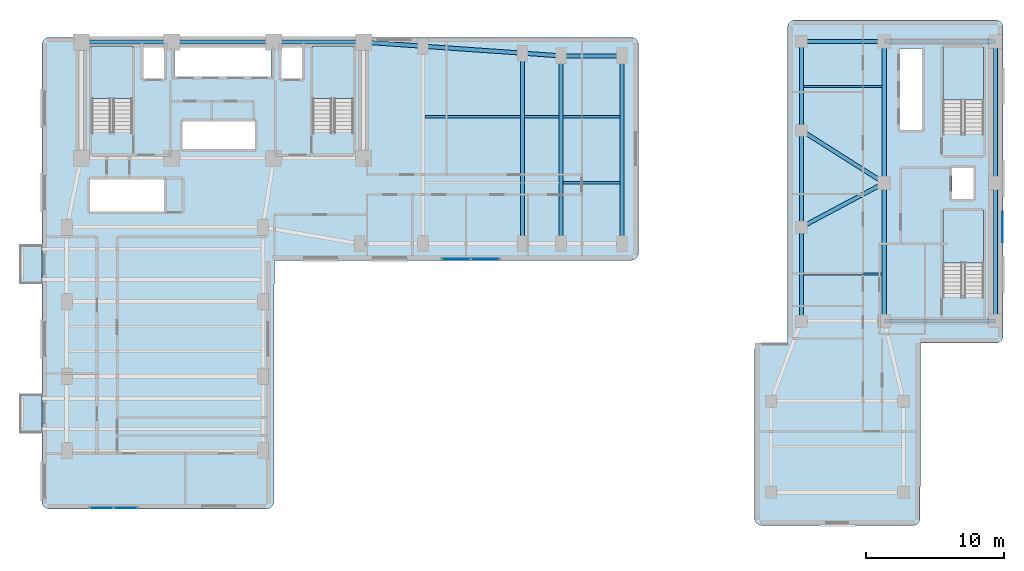
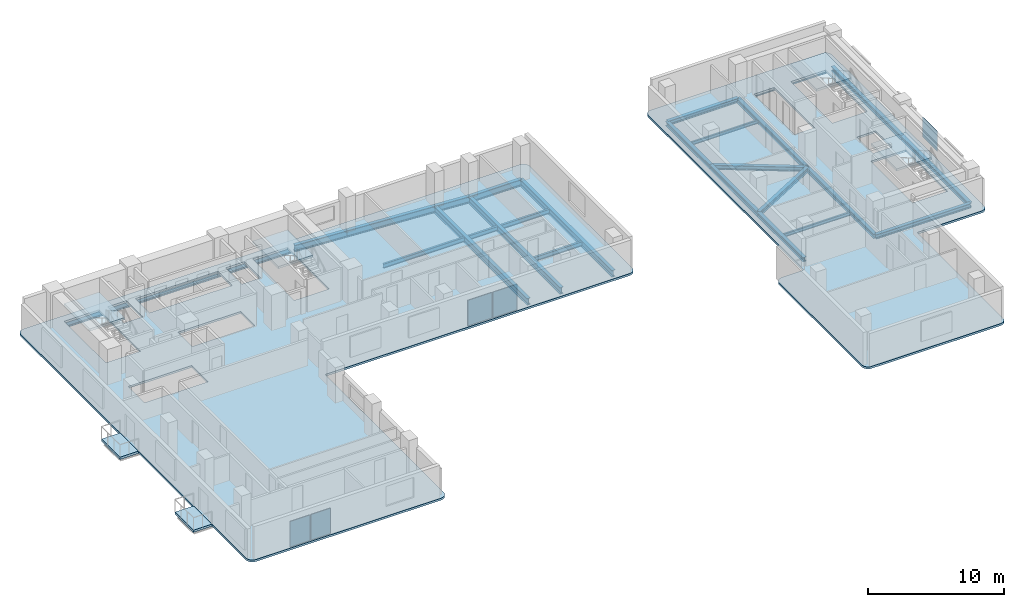
# One storey, part 7 of 15: 28 beams, 8 slabs, 5 plates, 6 elements without a shape of their own.
"""IFC4 building model written with IfcOpenShell, lengths in metres."""

from ifc_helpers import new_model, si_unit, direction, frame, origin, origin_2d, place, context, subcontext, project, spatial, polyline, rectangle, i_section, outline, extrude, material, layer, layer_set, material_profile, profile_set, type_object, element, aggregate, save


model = new_model("IFC4")

# Units and contexts
model_context = context("Model", 3, precision=1e-05, world=origin(), true_north=direction((0.0, 1.0)))
body_context = subcontext(model_context, "Body", "Model", "MODEL_VIEW")
ifc_project = project(units=[si_unit("LENGTHUNIT", "METRE"), si_unit("AREAUNIT", "SQUARE_METRE"), si_unit("VOLUMEUNIT", "CUBIC_METRE"), si_unit("PLANEANGLEUNIT", "RADIAN"), si_unit("MASSUNIT", "GRAM", prefix="KILO")], contexts=[model_context])

# Site, building, storey
site_placement = place(None, origin())
site = spatial("IfcSite", under=ifc_project, at=site_placement, CompositionType="ELEMENT")
building_placement = place(site_placement, origin())
building = spatial("IfcBuilding", under=site, at=building_placement, Name="Kuzgunbayir Cultural Tower", CompositionType="ELEMENT")
storey_placement = place(building_placement, frame((0.0, 0.0, 72.39990234375)))
storey = spatial("IfcBuildingStorey", under=building, at=storey_placement, Name="L20", CompositionType="ELEMENT", Elevation=72.39990234375)

# Beams
ifc_material_1 = material(Name="Steel S355J2", Category="steel")
ifc_material_profile_1 = material_profile(ifc_material_1, i_section(OverallWidth=0.300048828125, OverallDepth=0.39990234375, WebThickness=0.013427734375, FlangeThickness=0.02392578125, FilletRadius=0.027099609375, at=origin_2d()), Name="HEB 400")
ifc_profile_set_1 = profile_set([ifc_material_profile_1], Name="Steel S355J2")
beam_type_1 = type_object("IfcBeamType", Name="BM-EXT-HEB400", PredefinedType="BEAM", material=ifc_profile_set_1)
beam_1_placement = place(storey_placement, frame((58.60009765625, 22.0, -0.3798828125), z_axis=(0.0, 1.0, 0.0), x_axis=(-1.0, 0.0, 0.0)))
element("IfcBeam", 1, at=beam_1_placement, inside=storey, type_object=beam_type_1, Name="L20 Companion West Girder", PredefinedType="BEAM", context=body_context, shape_type="SweptSolid", body=[
    extrude(i_section(OverallWidth=0.300048828125, OverallDepth=0.39990234375, WebThickness=0.013427734375, FlangeThickness=0.02392578125, FilletRadius=0.027099609375, at=origin_2d()), origin(), (0.0, 0.0, 1.0), 6.800048828125),
])
beam_2_placement = place(storey_placement, frame((58.60009765625, 28.800048828125, -0.3798828125), z_axis=(0.0, 1.0, 0.0), x_axis=(-1.0, 0.0, 0.0)))
element("IfcBeam", 2, at=beam_2_placement, inside=storey, type_object=beam_type_1, Name="L20 Companion West Girder", PredefinedType="BEAM", context=body_context, shape_type="SweptSolid", body=[
    extrude(i_section(OverallWidth=0.300048828125, OverallDepth=0.39990234375, WebThickness=0.013427734375, FlangeThickness=0.02392578125, FilletRadius=0.027099609375, at=origin_2d()), origin(), (0.0, 0.0, 1.0), 7.0),
])
beam_3_placement = place(storey_placement, frame((58.60009765625, 35.800048828125, -0.3798828125), z_axis=(0.0, 1.0, 0.0), x_axis=(-1.0, 0.0, 0.0)))
element("IfcBeam", 3, at=beam_3_placement, inside=storey, type_object=beam_type_1, Name="L20 Companion West Girder", PredefinedType="BEAM", context=body_context, shape_type="SweptSolid", body=[
    extrude(i_section(OverallWidth=0.300048828125, OverallDepth=0.39990234375, WebThickness=0.013427734375, FlangeThickness=0.02392578125, FilletRadius=0.027099609375, at=origin_2d()), origin(), (0.0, 0.0, 1.0), 6.449951171875),
])
ifc_material_profile_2 = material_profile(ifc_material_1, i_section(OverallWidth=0.300048828125, OverallDepth=0.60009765625, WebThickness=0.015380859375, FlangeThickness=0.030029296875, FilletRadius=0.027099609375, at=origin_2d()), Name="HEB 600")
ifc_profile_set_2 = profile_set([ifc_material_profile_2], Name="Steel S355J2")
beam_type_2 = type_object("IfcBeamType", Name="BM-EXT-HEB600", PredefinedType="BEAM", material=ifc_profile_set_2)
beam_4_placement = place(storey_placement, frame((26.89990234375, 42.199951171875, -0.47998046875), z_axis=(0.997574369175, -0.069608749203, 0.0), x_axis=(0.069608749203, 0.997574369175, 0.0)))
element("IfcBeam", 4, at=beam_4_placement, inside=storey, type_object=beam_type_2, Name="L20 Wing B North Girder 1", PredefinedType="BEAM", context=body_context, shape_type="SweptSolid", body=[
    extrude(i_section(OverallWidth=0.300048828125, OverallDepth=0.60009765625, WebThickness=0.015380859375, FlangeThickness=0.030029296875, FilletRadius=0.027099609375, at=origin_2d()), origin(), (0.0, 0.0, 1.0), 4.310546875),
])
beam_5_placement = place(storey_placement, frame((31.199951171875, 41.89990234375, -0.47998046875), z_axis=(0.997597388498, -0.069278066245, 0.0), x_axis=(0.069278066245, 0.997597388498, 0.0)))
element("IfcBeam", 5, at=beam_5_placement, inside=storey, type_object=beam_type_2, Name="L20 Wing B North Girder 2", PredefinedType="BEAM", context=body_context, shape_type="SweptSolid", body=[
    extrude(i_section(OverallWidth=0.300048828125, OverallDepth=0.60009765625, WebThickness=0.015380859375, FlangeThickness=0.030029296875, FilletRadius=0.027099609375, at=origin_2d()), origin(), (0.0, 0.0, 1.0), 7.21728515625),
])
beam_6_placement = place(storey_placement, frame((38.39990234375, 41.39990234375, -0.47998046875), z_axis=(0.997460024076, -0.071228508128, 0.0), x_axis=(0.071228508128, 0.997460024076, 0.0)))
element("IfcBeam", 6, at=beam_6_placement, inside=storey, type_object=beam_type_2, Name="L20 Wing B North Girder 3", PredefinedType="BEAM", context=body_context, shape_type="SweptSolid", body=[
    extrude(i_section(OverallWidth=0.300048828125, OverallDepth=0.60009765625, WebThickness=0.015380859375, FlangeThickness=0.030029296875, FilletRadius=0.027099609375, at=origin_2d()), origin(), (0.0, 0.0, 1.0), 2.80712890625),
])
beam_7_placement = place(storey_placement, frame((41.199951171875, 41.199951171875, -0.47998046875), z_axis=(1.0, 0.0, 0.0), x_axis=(0.0, 1.0, 0.0)))
element("IfcBeam", 7, at=beam_7_placement, inside=storey, type_object=beam_type_2, Name="L20 Wing B North Girder 4", PredefinedType="BEAM", context=body_context, shape_type="SweptSolid", body=[
    extrude(i_section(OverallWidth=0.300048828125, OverallDepth=0.60009765625, WebThickness=0.015380859375, FlangeThickness=0.030029296875, FilletRadius=0.027099609375, at=origin_2d()), origin(), (0.0, 0.0, 1.0), 4.400146484375),
])
ifc_material_profile_3 = material_profile(ifc_material_1, i_section(OverallWidth=0.300048828125, OverallDepth=0.39990234375, WebThickness=0.013427734375, FlangeThickness=0.02392578125, FilletRadius=0.027099609375, at=origin_2d()), Name="HEB 400")
ifc_profile_set_3 = profile_set([ifc_material_profile_3], Name="Steel S355J2")
beam_type_3 = type_object("IfcBeamType", Name="BM-GIR-HEB400", PredefinedType="BEAM", material=ifc_profile_set_3)
beam_8_placement = place(storey_placement, frame((58.60009765625, 28.800048828125, -0.3798828125), z_axis=(0.882355922736, 0.470582644828, 0.0), x_axis=(-0.470582644828, 0.882355922736, 0.0)))
element("IfcBeam", 8, at=beam_8_placement, inside=storey, type_object=beam_type_3, Name="L20 Companion Transverse Girder 2", PredefinedType="BEAM", context=body_context, shape_type="SweptSolid", body=[
    extrude(i_section(OverallWidth=0.300048828125, OverallDepth=0.39990234375, WebThickness=0.013427734375, FlangeThickness=0.02392578125, FilletRadius=0.027099609375, at=origin_2d()), origin(), (0.0, 0.0, 1.0), 6.800048828125),
])
beam_9_placement = place(storey_placement, frame((58.60009765625, 35.800048828125, -0.3798828125), z_axis=(0.844815967829, -0.535056988088, 0.0), x_axis=(0.535056988088, 0.844815967829, 0.0)))
element("IfcBeam", 9, at=beam_9_placement, inside=storey, type_object=beam_type_3, Name="L20 Companion Transverse Girder 3", PredefinedType="BEAM", context=body_context, shape_type="SweptSolid", body=[
    extrude(i_section(OverallWidth=0.300048828125, OverallDepth=0.39990234375, WebThickness=0.013427734375, FlangeThickness=0.02392578125, FilletRadius=0.027099609375, at=origin_2d()), origin(), (0.0, 0.0, 1.0), 7.10205078125),
])
beam_10_placement = place(storey_placement, frame((58.60009765625, 42.25, -0.3798828125), z_axis=(1.0, 0.0, 0.0), x_axis=(0.0, 1.0, 0.0)))
element("IfcBeam", 10, at=beam_10_placement, inside=storey, type_object=beam_type_3, Name="L20 Companion Transverse Girder 4", PredefinedType="BEAM", context=body_context, shape_type="SweptSolid", body=[
    extrude(i_section(OverallWidth=0.300048828125, OverallDepth=0.39990234375, WebThickness=0.013427734375, FlangeThickness=0.02392578125, FilletRadius=0.027099609375, at=origin_2d()), origin(), (0.0, 0.0, 1.0), 6.0),
])
beam_11_placement = place(storey_placement, frame((64.60009765625, 22.0, -0.3798828125), z_axis=(0.0, 1.0, 0.0), x_axis=(-1.0, 0.0, 0.0)))
element("IfcBeam", 11, at=beam_11_placement, inside=storey, type_object=beam_type_3, Name="L20 Companion Core West Girder 1", PredefinedType="BEAM", context=body_context, shape_type="SweptSolid", body=[
    extrude(i_section(OverallWidth=0.300048828125, OverallDepth=0.39990234375, WebThickness=0.013427734375, FlangeThickness=0.02392578125, FilletRadius=0.027099609375, at=origin_2d()), origin(), (0.0, 0.0, 1.0), 10.0),
])
beam_12_placement = place(storey_placement, frame((64.60009765625, 32.0, -0.3798828125), z_axis=(0.0, 1.0, 0.0), x_axis=(-1.0, 0.0, 0.0)))
element("IfcBeam", 12, at=beam_12_placement, inside=storey, type_object=beam_type_3, Name="L20 Companion Core West Girder 2", PredefinedType="BEAM", context=body_context, shape_type="SweptSolid", body=[
    extrude(i_section(OverallWidth=0.300048828125, OverallDepth=0.39990234375, WebThickness=0.013427734375, FlangeThickness=0.02392578125, FilletRadius=0.027099609375, at=origin_2d()), origin(), (0.0, 0.0, 1.0), 10.25),
])
beam_13_placement = place(storey_placement, frame((72.64990234375, 22.0, -0.3798828125), z_axis=(0.0, 1.0, 0.0), x_axis=(-1.0, 0.0, 0.0)))
element("IfcBeam", 13, at=beam_13_placement, inside=storey, type_object=beam_type_3, Name="L20 Companion Core East Girder 1", PredefinedType="BEAM", context=body_context, shape_type="SweptSolid", body=[
    extrude(i_section(OverallWidth=0.300048828125, OverallDepth=0.39990234375, WebThickness=0.013427734375, FlangeThickness=0.02392578125, FilletRadius=0.027099609375, at=origin_2d()), origin(), (0.0, 0.0, 1.0), 10.0),
])
beam_14_placement = place(storey_placement, frame((72.64990234375, 32.0, -0.3798828125), z_axis=(0.0, 1.0, 0.0), x_axis=(-1.0, 0.0, 0.0)))
element("IfcBeam", 14, at=beam_14_placement, inside=storey, type_object=beam_type_3, Name="L20 Companion Core East Girder 2", PredefinedType="BEAM", context=body_context, shape_type="SweptSolid", body=[
    extrude(i_section(OverallWidth=0.300048828125, OverallDepth=0.39990234375, WebThickness=0.013427734375, FlangeThickness=0.02392578125, FilletRadius=0.027099609375, at=origin_2d()), origin(), (0.0, 0.0, 1.0), 10.25),
])
for number, where, z_axis, x_axis, name in (
    (15, (64.60009765625, 22.0, -0.3798828125), (1.0, 0.0, 0.0), (0.0, 1.0, 0.0), "L20 Companion Core South Girder"),
    (16, (64.60009765625, 42.25, -0.3798828125), (1.0, 0.0, 0.0), (0.0, 1.0, 0.0), "L20 Companion Core North Girder"),
):
    element("IfcBeam", number, at=place(storey_placement, frame(where, z_axis=z_axis, x_axis=x_axis)), inside=storey, type_object=beam_type_3, Name=name, PredefinedType="BEAM", context=body_context, shape_type="SweptSolid", body=[
        extrude(i_section(OverallWidth=0.300048828125, OverallDepth=0.39990234375, WebThickness=0.013427734375, FlangeThickness=0.02392578125, FilletRadius=0.027099609375, at=origin_2d()), origin(), (0.0, 0.0, 1.0), 8.0498046875),
    ])
ifc_material_profile_4 = material_profile(ifc_material_1, i_section(OverallWidth=0.300048828125, OverallDepth=0.60009765625, WebThickness=0.015380859375, FlangeThickness=0.030029296875, FilletRadius=0.027099609375, at=origin_2d()), Name="HEB 600")
ifc_profile_set_4 = profile_set([ifc_material_profile_4], Name="Steel S355J2")
beam_type_4 = type_object("IfcBeamType", Name="BM-GIR-HEB600", PredefinedType="BEAM", material=ifc_profile_set_4)
beam_15_placement = place(storey_placement, frame((6.449951171875, 42.199951171875, -0.47998046875), z_axis=(1.0, 0.0, 0.0), x_axis=(0.0, 1.0, 0.0)))
element("IfcBeam", 17, at=beam_15_placement, inside=storey, type_object=beam_type_4, Name="L20 Core North Girder 1", PredefinedType="BEAM", context=body_context, shape_type="SweptSolid", body=[
    extrude(i_section(OverallWidth=0.300048828125, OverallDepth=0.60009765625, WebThickness=0.015380859375, FlangeThickness=0.030029296875, FilletRadius=0.027099609375, at=origin_2d()), origin(), (0.0, 0.0, 1.0), 6.550048828125),
])
beam_16_placement = place(storey_placement, frame((13.0, 42.199951171875, -0.47998046875), z_axis=(1.0, 0.0, 0.0), x_axis=(0.0, 1.0, 0.0)))
element("IfcBeam", 18, at=beam_16_placement, inside=storey, type_object=beam_type_4, Name="L20 Core North Girder 2", PredefinedType="BEAM", context=body_context, shape_type="SweptSolid", body=[
    extrude(i_section(OverallWidth=0.300048828125, OverallDepth=0.60009765625, WebThickness=0.015380859375, FlangeThickness=0.030029296875, FilletRadius=0.027099609375, at=origin_2d()), origin(), (0.0, 0.0, 1.0), 7.39990234375),
])
beam_17_placement = place(storey_placement, frame((20.39990234375, 42.199951171875, -0.47998046875), z_axis=(1.0, 0.0, 0.0), x_axis=(0.0, 1.0, 0.0)))
element("IfcBeam", 19, at=beam_17_placement, inside=storey, type_object=beam_type_4, Name="L20 Core North Girder 3", PredefinedType="BEAM", context=body_context, shape_type="SweptSolid", body=[
    extrude(i_section(OverallWidth=0.300048828125, OverallDepth=0.60009765625, WebThickness=0.015380859375, FlangeThickness=0.030029296875, FilletRadius=0.027099609375, at=origin_2d()), origin(), (0.0, 0.0, 1.0), 6.5),
])
beam_18_placement = place(storey_placement, frame((38.39990234375, 27.60009765625, -0.47998046875), z_axis=(0.0, 1.0, 0.0), x_axis=(-1.0, 0.0, 0.0)))
element("IfcBeam", 20, at=beam_18_placement, inside=storey, type_object=beam_type_4, Name="L20 Wing B Cross Girder 38", PredefinedType="BEAM", context=body_context, shape_type="SweptSolid", body=[
    extrude(i_section(OverallWidth=0.300048828125, OverallDepth=0.60009765625, WebThickness=0.015380859375, FlangeThickness=0.030029296875, FilletRadius=0.027099609375, at=origin_2d()), origin(), (0.0, 0.0, 1.0), 13.7998046875),
])
for number, where, z_axis, x_axis, name in (
    (21, (41.199951171875, 27.60009765625, -0.47998046875), (0.0, 1.0, 0.0), (-1.0, 0.0, 0.0), "L20 Wing B Cross Girder 41"),
    (22, (45.60009765625, 27.60009765625, -0.47998046875), (0.0, 1.0, 0.0), (-1.0, 0.0, 0.0), "L20 Wing B Cross Girder 45"),
):
    element("IfcBeam", number, at=place(storey_placement, frame(where, z_axis=z_axis, x_axis=x_axis)), inside=storey, type_object=beam_type_4, Name=name, PredefinedType="BEAM", context=body_context, shape_type="SweptSolid", body=[
        extrude(i_section(OverallWidth=0.300048828125, OverallDepth=0.60009765625, WebThickness=0.015380859375, FlangeThickness=0.030029296875, FilletRadius=0.027099609375, at=origin_2d()), origin(), (0.0, 0.0, 1.0), 13.599853515625),
    ])
ifc_material_profile_5 = material_profile(ifc_material_1, i_section(OverallWidth=0.14990234375, OverallDepth=0.300048828125, WebThickness=0.007080078125, FlangeThickness=0.0107421875, FilletRadius=0.014892578125, at=origin_2d()), Name="IPE 300")
ifc_profile_set_5 = profile_set([ifc_material_profile_5], Name="Steel S355J2")
beam_type_5 = type_object("IfcBeamType", Name="BM-JST-IPE300", PredefinedType="JOIST", material=ifc_profile_set_5)
for number, where, z_axis, x_axis, name in (
    (23, (58.75, 25.39990234375, -0.329833984375), (1.0, 0.0, 0.0), (0.0, 1.0, 0.0), "L20 Companion Joist"),
    (24, (58.75, 39.0, -0.329833984375), (1.0, 0.0, 0.0), (0.0, 1.0, 0.0), "L20 Companion Joist"),
):
    element("IfcBeam", number, at=place(storey_placement, frame(where, z_axis=z_axis, x_axis=x_axis)), inside=storey, type_object=beam_type_5, Name=name, PredefinedType="JOIST", context=body_context, shape_type="SweptSolid", body=[
        extrude(i_section(OverallWidth=0.14990234375, OverallDepth=0.300048828125, WebThickness=0.007080078125, FlangeThickness=0.0107421875, FilletRadius=0.014892578125, at=origin_2d()), origin(), (0.0, 0.0, 1.0), 5.699951171875),
    ])
ifc_material_profile_6 = material_profile(ifc_material_1, i_section(OverallWidth=0.179931640625, OverallDepth=0.39990234375, WebThickness=0.008544921875, FlangeThickness=0.013427734375, FilletRadius=0.02099609375, at=origin_2d()), Name="IPE 400")
ifc_profile_set_6 = profile_set([ifc_material_profile_6], Name="Steel S355J2")
beam_type_6 = type_object("IfcBeamType", Name="BM-JST-IPE400", PredefinedType="JOIST", material=ifc_profile_set_6)
beam_19_placement = place(storey_placement, frame((31.35009765625, 36.800048828125, -0.3798828125), z_axis=(1.0, 0.0, 0.0), x_axis=(0.0, 1.0, 0.0)))
element("IfcBeam", 25, at=beam_19_placement, inside=storey, type_object=beam_type_6, Name="L20 Wing B Secondary Joist 1.2", PredefinedType="JOIST", context=body_context, shape_type="SweptSolid", body=[
    extrude(i_section(OverallWidth=0.179931640625, OverallDepth=0.39990234375, WebThickness=0.008544921875, FlangeThickness=0.013427734375, FilletRadius=0.02099609375, at=origin_2d()), origin(), (0.0, 0.0, 1.0), 6.89990234375),
])
beam_20_placement = place(storey_placement, frame((38.550048828125, 36.800048828125, -0.3798828125), z_axis=(1.0, 0.0, 0.0), x_axis=(0.0, 1.0, 0.0)))
element("IfcBeam", 26, at=beam_20_placement, inside=storey, type_object=beam_type_6, Name="L20 Wing B Secondary Joist 2.2", PredefinedType="JOIST", context=body_context, shape_type="SweptSolid", body=[
    extrude(i_section(OverallWidth=0.179931640625, OverallDepth=0.39990234375, WebThickness=0.008544921875, FlangeThickness=0.013427734375, FilletRadius=0.02099609375, at=origin_2d()), origin(), (0.0, 0.0, 1.0), 2.5),
])
for number, where, z_axis, x_axis, name in (
    (27, (41.35009765625, 32.0, -0.3798828125), (1.0, 0.0, 0.0), (0.0, 1.0, 0.0), "L20 Wing B Secondary Joist 3.1"),
    (28, (41.35009765625, 36.800048828125, -0.3798828125), (1.0, 0.0, 0.0), (0.0, 1.0, 0.0), "L20 Wing B Secondary Joist 3.2"),
):
    element("IfcBeam", number, at=place(storey_placement, frame(where, z_axis=z_axis, x_axis=x_axis)), inside=storey, type_object=beam_type_6, Name=name, PredefinedType="JOIST", context=body_context, shape_type="SweptSolid", body=[
        extrude(i_section(OverallWidth=0.179931640625, OverallDepth=0.39990234375, WebThickness=0.008544921875, FlangeThickness=0.013427734375, FilletRadius=0.02099609375, at=origin_2d()), origin(), (0.0, 0.0, 1.0), 4.099853515625),
    ])

# Curtain wall, plates
ifc_material_2 = material(Name="Anodised Aluminium Framing", Category="aluminium")
curtain_wall_type = type_object("IfcCurtainWallType", Name="CW03-T1-OFFICE", PredefinedType="NOTDEFINED", material=ifc_material_2)
curtain_wall_1_placement = place(storey_placement, origin())
curtain_wall_1 = element("IfcCurtainWall", 29, at=curtain_wall_1_placement, inside=storey, type_object=curtain_wall_type, Name="L20 Wing A South Feature Curtain Wall", PredefinedType="NOTDEFINED")
ifc_material_3 = material(Name="Solar-Control Triple Glazing", Category="glass")
ifc_layer_1 = layer(ifc_material_3, 0.035888671875)
ifc_layer_set_1 = layer_set([ifc_layer_1], Name="Solar-Control Triple Glazing")
plate_type_1 = type_object("IfcPlateType", Name="PLT-CW-GLASS-36", PredefinedType="CURTAIN_PANEL", material=ifc_layer_set_1)
plate_1_placement = place(storey_placement, frame((7.918701171875, 8.47998046875, 0.06005859375), z_axis=(0.0, 0.0, 1.0), x_axis=(1.0, 0.0, 0.0)))
plate_1 = element("IfcPlate", 30, at=plate_1_placement, type_object=plate_type_1, Name="CW03 panel 1.1", PredefinedType="CURTAIN_PANEL", context=body_context, shape_type="SweptSolid", body=[
    extrude(rectangle(XDim=1.6875, YDim=0.035888671875, at=origin_2d()), origin(), (0.0, 0.0, 1.0), 2.2900390625),
])
plate_2_placement = place(storey_placement, frame((9.68115234375, 8.47998046875, 0.06005859375), z_axis=(0.0, 0.0, 1.0), x_axis=(1.0, 0.0, 0.0)))
plate_2 = element("IfcPlate", 31, at=plate_2_placement, type_object=plate_type_1, Name="CW03 panel 2.1", PredefinedType="CURTAIN_PANEL", context=body_context, shape_type="SweptSolid", body=[
    extrude(rectangle(XDim=1.6875, YDim=0.035888671875, at=origin_2d()), origin(), (0.0, 0.0, 1.0), 2.2900390625),
])
aggregate(curtain_wall_1, [plate_1, plate_2])

curtain_wall_2_placement = place(storey_placement, origin())
curtain_wall_2 = element("IfcCurtainWall", 32, at=curtain_wall_2_placement, inside=storey, type_object=curtain_wall_type, Name="L20 Wing B South Feature Curtain Wall", PredefinedType="NOTDEFINED")
plate_3_placement = place(storey_placement, frame((33.59375, 26.47998046875, 0.06005859375), z_axis=(0.0, 0.0, 1.0), x_axis=(1.0, 0.0, 0.0)))
plate_3 = element("IfcPlate", 33, at=plate_3_placement, type_object=plate_type_1, Name="CW03 panel 1.1", PredefinedType="CURTAIN_PANEL", context=body_context, shape_type="SweptSolid", body=[
    extrude(rectangle(XDim=2.03759765625, YDim=0.035888671875, at=origin_2d()), origin(), (0.0, 0.0, 1.0), 2.2900390625),
])
plate_4_placement = place(storey_placement, frame((35.706298828125, 26.47998046875, 0.06005859375), z_axis=(0.0, 0.0, 1.0), x_axis=(1.0, 0.0, 0.0)))
plate_4 = element("IfcPlate", 34, at=plate_4_placement, type_object=plate_type_1, Name="CW03 panel 2.1", PredefinedType="CURTAIN_PANEL", context=body_context, shape_type="SweptSolid", body=[
    extrude(rectangle(XDim=2.03759765625, YDim=0.035888671875, at=origin_2d()), origin(), (0.0, 0.0, 1.0), 2.2900390625),
])
aggregate(curtain_wall_2, [plate_3, plate_4])

# Plate
ifc_material_4 = material(Name="Perforated Bronze-Anodised Aluminium", Category="aluminium")
ifc_layer_2 = layer(ifc_material_4, 0.02392578125)
ifc_layer_set_2 = layer_set([ifc_layer_2], Name="Perforated Bronze-Anodised Aluminium")
plate_type_2 = type_object("IfcPlateType", Name="PLT-SOLAR-SCREEN-14", PredefinedType="SHEET", material=ifc_layer_set_2)
plate_5_placement = place(storey_placement, frame((73.159912109375, 28.800048828125, 0.75), z_axis=(0.0, 0.0, 1.0), x_axis=(1.0, 0.0, 0.0)))
element("IfcPlate", 35, at=plate_5_placement, inside=storey, type_object=plate_type_2, Name="L20 Companion Perforated Ceramic Solar Screen Panel", PredefinedType="SHEET", context=body_context, shape_type="SweptSolid", body=[
    extrude(rectangle(XDim=0.02392578125, YDim=2.199951171875, at=origin_2d()), origin(), (0.0, 0.0, 1.0), 1.800048828125),
])

# Slabs
ifc_material_5 = material(Name="Concrete C40/50", Category="concrete")
ifc_layer_3 = layer(ifc_material_5, 0.199951171875)
ifc_layer_set_3 = layer_set([ifc_layer_3], Name="Concrete C40/50")
slab_type_1 = type_object("IfcSlabType", Name="SLB-BAL-STONE", PredefinedType="FLOOR", material=ifc_layer_set_3)
slab_1_placement = place(storey_placement, frame((0.0, 0.0, -0.199951171875)))
element("IfcSlab", 36, at=slab_1_placement, inside=storey, type_object=slab_type_1, Name="L20 Projecting Limestone Balcony BAL-L20-WA1", PredefinedType="FLOOR", context=body_context, shape_type="SweptSolid", body=[
    extrude(outline(polyline([(2.0400390625, 13.949951171875), (3.60009765625, 13.949951171875), (3.60009765625, 16.64990234375), (2.0400390625, 16.64990234375), (2.0400390625, 13.949951171875)])), origin(), (0.0, 0.0, 1.0), 0.199951171875),
])
slab_2_placement = place(storey_placement, frame((0.0, 0.0, -0.199951171875)))
element("IfcSlab", 37, at=slab_2_placement, inside=storey, type_object=slab_type_1, Name="L20 Projecting Limestone Balcony BAL-L20-WA3", PredefinedType="FLOOR", context=body_context, shape_type="SweptSolid", body=[
    extrude(outline(polyline([(2.0400390625, 24.75), (3.60009765625, 24.75), (3.60009765625, 27.449951171875), (2.0400390625, 27.449951171875), (2.0400390625, 24.75)])), origin(), (0.0, 0.0, 1.0), 0.199951171875),
])

# Stair, slab
stair_type = type_object("IfcStairType", Name="STR-EXIT-CORE", PredefinedType="HALF_TURN_STAIR", material=ifc_material_5)
stair_1_placement = place(storey_placement, origin())
stair_1 = element("IfcStair", 38, at=stair_1_placement, inside=storey, type_object=stair_type, Name="L20 ST-1", PredefinedType="HALF_TURN_STAIR")
ifc_layer_4 = layer(ifc_material_5, 0.179931640625)
ifc_layer_set_4 = layer_set([ifc_layer_4], Name="Concrete C40/50")
slab_type_2 = type_object("IfcSlabType", Name="SLB-LANDING-180", PredefinedType="LANDING", material=ifc_layer_set_4)
slab_3_placement = place(storey_placement, frame((0.0, 0.0, 1.400146484375)))
slab_3 = element("IfcSlab", 39, at=slab_3_placement, type_object=slab_type_2, Name="ST-1 landing 1", PredefinedType="LANDING", context=body_context, shape_type="SweptSolid", body=[
    extrude(outline(polyline([(10.159912109375, 38.1201171875), (10.159912109375, 41.89990234375), (7.199951171875, 41.89990234375), (7.199951171875, 38.1201171875), (10.159912109375, 38.1201171875)])), origin(), (0.0, 0.0, 1.0), 0.199951171875),
])
aggregate(stair_1, [slab_3])

stair_2_placement = place(storey_placement, origin())
stair_2 = element("IfcStair", 40, at=stair_2_placement, inside=storey, type_object=stair_type, Name="L20 ST-2", PredefinedType="HALF_TURN_STAIR")
slab_4_placement = place(storey_placement, frame((0.0, 0.0, 1.400146484375)))
slab_4 = element("IfcSlab", 41, at=slab_4_placement, type_object=slab_type_2, Name="ST-2 landing 1", PredefinedType="LANDING", context=body_context, shape_type="SweptSolid", body=[
    extrude(outline(polyline([(26.159912109375, 38.1201171875), (26.159912109375, 41.89990234375), (23.199951171875, 41.89990234375), (23.199951171875, 38.1201171875), (26.159912109375, 38.1201171875)])), origin(), (0.0, 0.0, 1.0), 0.199951171875),
])
aggregate(stair_2, [slab_4])

stair_3_placement = place(storey_placement, origin())
stair_3 = element("IfcStair", 42, at=stair_3_placement, inside=storey, type_object=stair_type, Name="L20 ST-3", PredefinedType="HALF_TURN_STAIR")
slab_5_placement = place(storey_placement, frame((0.0, 0.0, 1.400146484375)))
slab_5 = element("IfcSlab", 43, at=slab_5_placement, type_object=slab_type_2, Name="ST-3 landing 1", PredefinedType="LANDING", context=body_context, shape_type="SweptSolid", body=[
    extrude(outline(polyline([(71.800048828125, 26.219970703125), (71.800048828125, 30.0), (68.840087890625, 30.0), (68.840087890625, 26.219970703125), (71.800048828125, 26.219970703125)])), origin(), (0.0, 0.0, 1.0), 0.199951171875),
])
aggregate(stair_3, [slab_5])

stair_4_placement = place(storey_placement, origin())
stair_4 = element("IfcStair", 44, at=stair_4_placement, inside=storey, type_object=stair_type, Name="L20 ST-4", PredefinedType="HALF_TURN_STAIR")
slab_6_placement = place(storey_placement, frame((0.0, 0.0, 1.400146484375)))
slab_6 = element("IfcSlab", 45, at=slab_6_placement, type_object=slab_type_2, Name="ST-4 landing 1", PredefinedType="LANDING", context=body_context, shape_type="SweptSolid", body=[
    extrude(outline(polyline([(71.800048828125, 38.02001953125), (71.800048828125, 41.800048828125), (68.840087890625, 41.800048828125), (68.840087890625, 38.02001953125), (71.800048828125, 38.02001953125)])), origin(), (0.0, 0.0, 1.0), 0.199951171875),
])
aggregate(stair_4, [slab_6])

# Slabs
ifc_layer_5 = layer(ifc_material_5, 0.179931640625)
ifc_layer_set_5 = layer_set([ifc_layer_5], Name="Concrete C40/50")
slab_type_3 = type_object("IfcSlabType", Name="SLB-TYP-180", PredefinedType="FLOOR", material=ifc_layer_set_5)
slab_7_placement = place(storey_placement, frame((0.0, 0.0, -0.179931640625)))
element("IfcSlab", 46, at=slab_7_placement, inside=storey, type_object=slab_type_3, Name="L20 Tower 1 Floor Slab T1-MAIN", PredefinedType="FLOOR", context=body_context, shape_type="SweptSolid", body=[
    extrude(outline(polyline([(20.39990234375, 8.949951171875), (20.389892578125, 8.840087890625), (20.360107421875, 8.739990234375), (20.31005859375, 8.639892578125), (20.239990234375, 8.56005859375), (20.159912109375, 8.489990234375), (20.06005859375, 8.43994140625), (19.9599609375, 8.409912109375), (19.85009765625, 8.39990234375), (4.14990234375, 8.39990234375), (4.0400390625, 8.409912109375), (3.93994140625, 8.43994140625), (3.840087890625, 8.489990234375), (3.760009765625, 8.56005859375), (3.68994140625, 8.639892578125), (3.639892578125, 8.739990234375), (3.610107421875, 8.840087890625), (3.60009765625, 8.949951171875), (3.60009765625, 42.0), (3.610107421875, 42.110107421875), (3.639892578125, 42.2099609375), (3.68994140625, 42.31005859375), (3.760009765625, 42.389892578125), (3.840087890625, 42.4599609375), (3.93994140625, 42.510009765625), (4.0400390625, 42.5400390625), (4.14990234375, 42.550048828125), (46.25, 42.550048828125), (46.360107421875, 42.5400390625), (46.4599609375, 42.510009765625), (46.56005859375, 42.4599609375), (46.639892578125, 42.389892578125), (46.7099609375, 42.31005859375), (46.760009765625, 42.2099609375), (46.7900390625, 42.110107421875), (46.800048828125, 42.0), (46.800048828125, 26.949951171875), (46.7900390625, 26.840087890625), (46.760009765625, 26.739990234375), (46.7099609375, 26.639892578125), (46.639892578125, 26.56005859375), (46.56005859375, 26.489990234375), (46.4599609375, 26.43994140625), (46.360107421875, 26.409912109375), (46.25, 26.39990234375), (20.429931640625, 26.39990234375), (20.39990234375, 8.949951171875)]), holes=[polyline([(7.199951171875, 35.760009765625), (7.199951171875, 41.89990234375), (10.159912109375, 41.89990234375), (10.159912109375, 35.760009765625), (7.199951171875, 35.760009765625)]), polyline([(23.199951171875, 35.760009765625), (23.199951171875, 41.89990234375), (26.159912109375, 41.89990234375), (26.159912109375, 35.760009765625), (23.199951171875, 35.760009765625)]), polyline([(13.199951171875, 39.699951171875), (13.199951171875, 41.800048828125), (20.199951171875, 41.800048828125), (20.199951171875, 39.699951171875), (13.199951171875, 39.699951171875)]), polyline([(13.75, 34.39990234375), (13.75, 36.5), (19.080078125, 36.5), (19.080078125, 34.39990234375), (13.75, 34.39990234375)]), polyline([(7.10009765625, 29.89990234375), (7.10009765625, 32.300048828125), (12.5, 32.300048828125), (12.5, 29.89990234375), (7.10009765625, 29.89990234375)]), polyline([(10.89990234375, 39.5), (10.89990234375, 41.89990234375), (12.5, 41.89990234375), (12.5, 39.5), (10.89990234375, 39.5)]), polyline([(20.89990234375, 39.5), (20.89990234375, 41.89990234375), (22.5, 41.89990234375), (22.5, 39.5), (20.89990234375, 39.5)])]), origin(), (0.0, 0.0, 1.0), 0.179931640625),
])
slab_8_placement = place(storey_placement, frame((0.0, 0.0, -0.179931640625)))
element("IfcSlab", 47, at=slab_8_placement, inside=storey, type_object=slab_type_3, Name="L20 Companion Tower 2 Floor Slab", PredefinedType="FLOOR", context=body_context, shape_type="SweptSolid", body=[
    extrude(outline(polyline([(57.60009765625, 20.39990234375), (57.60009765625, 43.25), (57.610107421875, 43.360107421875), (57.639892578125, 43.4599609375), (57.68994140625, 43.56005859375), (57.760009765625, 43.639892578125), (57.840087890625, 43.7099609375), (57.93994140625, 43.760009765625), (58.0400390625, 43.7900390625), (58.14990234375, 43.800048828125), (72.64990234375, 43.800048828125), (72.760009765625, 43.7900390625), (72.860107421875, 43.760009765625), (72.9599609375, 43.7099609375), (73.0400390625, 43.639892578125), (73.110107421875, 43.56005859375), (73.159912109375, 43.4599609375), (73.18994140625, 43.360107421875), (73.199951171875, 43.25), (73.199951171875, 20.949951171875), (73.18994140625, 20.840087890625), (73.159912109375, 20.739990234375), (73.110107421875, 20.639892578125), (73.0400390625, 20.56005859375), (72.9599609375, 20.489990234375), (72.860107421875, 20.43994140625), (72.760009765625, 20.409912109375), (72.64990234375, 20.39990234375), (67.22998046875, 20.39990234375), (67.199951171875, 7.75), (67.18994140625, 7.639892578125), (67.159912109375, 7.5400390625), (67.110107421875, 7.43994140625), (67.0400390625, 7.360107421875), (66.9599609375, 7.2900390625), (66.860107421875, 7.239990234375), (66.760009765625, 7.2099609375), (66.64990234375, 7.199951171875), (55.75, 7.199951171875), (55.639892578125, 7.2099609375), (55.5400390625, 7.239990234375), (55.43994140625, 7.2900390625), (55.360107421875, 7.360107421875), (55.2900390625, 7.43994140625), (55.239990234375, 7.5400390625), (55.2099609375, 7.639892578125), (55.199951171875, 7.75), (55.199951171875, 19.85009765625), (55.2099609375, 19.9599609375), (55.239990234375, 20.06005859375), (55.2900390625, 20.159912109375), (55.360107421875, 20.239990234375), (55.43994140625, 20.31005859375), (55.5400390625, 20.360107421875), (55.639892578125, 20.389892578125), (55.75, 20.39990234375), (57.570068359375, 20.39990234375), (57.60009765625, 20.39990234375)]), holes=[polyline([(68.840087890625, 23.860107421875), (68.840087890625, 30.0), (71.800048828125, 30.0), (71.800048828125, 23.860107421875), (68.840087890625, 23.860107421875)]), polyline([(68.840087890625, 35.659912109375), (68.840087890625, 41.800048828125), (71.800048828125, 41.800048828125), (71.800048828125, 35.659912109375), (68.840087890625, 35.659912109375)]), polyline([(65.699951171875, 35.800048828125), (65.699951171875, 41.75), (67.39990234375, 41.75), (67.39990234375, 35.800048828125), (65.699951171875, 35.800048828125)]), polyline([(69.5, 30.800048828125), (69.5, 33.199951171875), (71.10009765625, 33.199951171875), (71.10009765625, 30.800048828125), (69.5, 30.800048828125)])]), origin(), (0.0, 0.0, 1.0), 0.179931640625),
])

save(model, "model.ifc")
